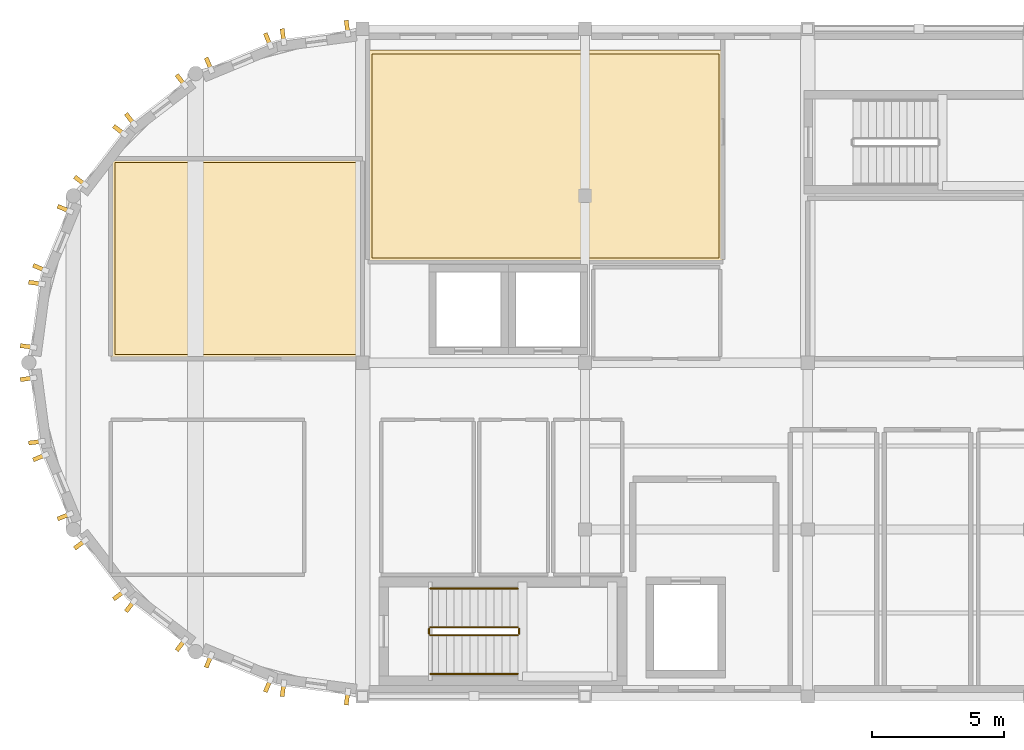
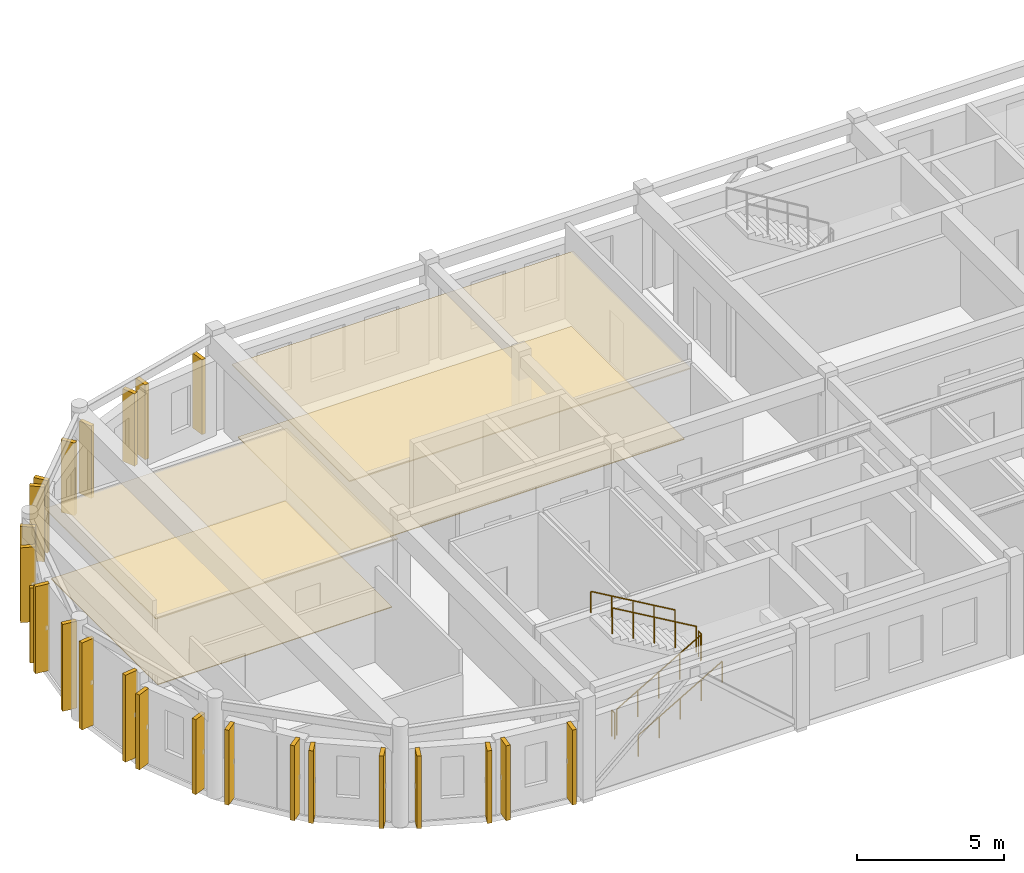
# One storey, part 8 of 11: 28 coverings, 6 railings.
"""IFC4 building model written with IfcOpenShell, lengths in metres."""

from ifc_helpers import new_model, si_unit, direction, frame, origin, origin_2d, place, context, subcontext, project, spatial, polyline, rectangle, circle, outline, extrude, material, layer, layer_set, type_object, element, save


model = new_model("IFC4")

# Units and contexts
model_context = context("Model", 3, precision=1e-05, world=origin(), true_north=direction((0.0, 1.0)))
body_context = subcontext(model_context, "Body", "Model", "MODEL_VIEW")
ifc_project = project(units=[si_unit("LENGTHUNIT", "METRE"), si_unit("AREAUNIT", "SQUARE_METRE"), si_unit("VOLUMEUNIT", "CUBIC_METRE"), si_unit("PLANEANGLEUNIT", "RADIAN"), si_unit("MASSUNIT", "GRAM", prefix="KILO")], contexts=[model_context])

# Site, building, storey
site_placement = place(None, origin())
site = spatial("IfcSite", under=ifc_project, at=site_placement, CompositionType="ELEMENT")
building_placement = place(site_placement, origin())
building = spatial("IfcBuilding", under=site, at=building_placement, Name="Tarnavel Promenade Courthouse", CompositionType="ELEMENT")
storey_placement = place(building_placement, frame((0.0, 0.0, 31.199951171875)))
storey = spatial("IfcBuildingStorey", under=building, at=storey_placement, Name="L08", CompositionType="ELEMENT", Elevation=31.199951171875)

# Railings
ifc_material_1 = material(Name="Brushed Bronze Tubular Stair Handrail")
railing_type_1 = type_object("IfcRailingType", Name="Brushed Bronze Tubular Stair Handrail (RL-HND-0900)", PredefinedType="HANDRAIL", material=ifc_material_1)
railing_1_placement = place(storey_placement, frame((61.360107421875, 80.050048828125, 0.175048828125)))
element("IfcRailing", 1, at=railing_1_placement, inside=storey, type_object=railing_type_1, Name="L08 ST-01 stair handrail 1", PredefinedType="HANDRAIL", context=body_context, shape_type="SweptSolid", body=[
    extrude(circle(Radius=0.02392578125, at=origin_2d()), frame((0.0, 0.0, 0.8759765625), z_axis=(0.863760357493, 0.0, 0.503902812876), x_axis=(0.0, 1.0, 0.0)), (0.0, 0.0, 1.0), 3.8203125),
    extrude(circle(Radius=0.02099609375, at=origin_2d()), origin(), (0.0, 0.0, 1.0), 0.851806640625),
    extrude(circle(Radius=0.02099609375, at=origin_2d()), frame((0.824951171875, 0.0, 0.481201171875)), (0.0, 0.0, 1.0), 0.851806640625),
    extrude(circle(Radius=0.02099609375, at=origin_2d()), frame((1.64990234375, 0.0, 0.96240234375)), (0.0, 0.0, 1.0), 0.851806640625),
    extrude(circle(Radius=0.02099609375, at=origin_2d()), frame((2.474853515625, 0.0, 1.44384765625)), (0.0, 0.0, 1.0), 0.851806640625),
    extrude(circle(Radius=0.02099609375, at=origin_2d()), frame((3.2998046875, 0.0, 1.925048828125)), (0.0, 0.0, 1.0), 0.851806640625),
])
railing_2_placement = place(storey_placement, frame((64.659912109375, 83.27001953125, 2.275146484375)))
element("IfcRailing", 2, at=railing_2_placement, inside=storey, type_object=railing_type_1, Name="L08 ST-01 stair handrail 2", PredefinedType="HANDRAIL", context=body_context, shape_type="SweptSolid", body=[
    extrude(circle(Radius=0.02392578125, at=origin_2d()), frame((0.0, 0.0, 0.8759765625), z_axis=(-0.863788172461, 0.0, 0.503855131081), x_axis=(0.0, -1.0, 0.0)), (0.0, 0.0, 1.0), 3.820068359375),
    extrude(circle(Radius=0.02099609375, at=origin_2d()), origin(), (0.0, 0.0, 1.0), 0.851806640625),
    extrude(circle(Radius=0.02099609375, at=origin_2d()), frame((-0.824951171875, 0.0, 0.481201171875)), (0.0, 0.0, 1.0), 0.851806640625),
    extrude(circle(Radius=0.02099609375, at=origin_2d()), frame((-1.64990234375, 0.0, 0.96240234375)), (0.0, 0.0, 1.0), 0.851806640625),
    extrude(circle(Radius=0.02099609375, at=origin_2d()), frame((-2.474853515625, 0.0, 1.443603515625)), (0.0, 0.0, 1.0), 0.851806640625),
    extrude(circle(Radius=0.02099609375, at=origin_2d()), frame((-3.2998046875, 0.0, 1.9248046875)), (0.0, 0.0, 1.0), 0.851806640625),
])

# Coverings
ifc_material_2 = material(Name="Engineered Smoked Oak Courtroom & Chambers Parquet")
ifc_layer_1 = layer(ifc_material_2, 0.031982421875)
ifc_layer_set_1 = layer_set([ifc_layer_1], Name="Engineered Smoked Oak Courtroom & Chambers Parquet")
covering_type_1 = type_object("IfcCoveringType", Name="Engineered Smoked Oak Courtroom & Chambers Parquet (COV-FLR-OAK-32)", PredefinedType="FLOORING", material=ifc_layer_set_1)
covering_1_placement = place(storey_placement, origin())
element("IfcCovering", 3, at=covering_1_placement, inside=storey, type_object=covering_type_1, Name="L08 Chief Justice's Chambers Suite Architectural Flooring 0054", PredefinedType="FLOORING", context=body_context, shape_type="SweptSolid", body=[
    extrude(outline(polyline([(59.14990234375, 95.75), (72.25, 95.75), (72.25, 103.449951171875), (59.14990234375, 103.449951171875), (59.14990234375, 95.75)])), origin(), (0.0, 0.0, 1.0), 0.031982421875),
])
covering_2_placement = place(storey_placement, origin())
element("IfcCovering", 4, at=covering_2_placement, inside=storey, type_object=covering_type_1, Name="L08 L08 West Drum Rotunda Chambers North Architectural Flooring 0056", PredefinedType="FLOORING", context=body_context, shape_type="SweptSolid", body=[
    extrude(outline(polyline([(49.449951171875, 92.10009765625), (58.64990234375, 92.10009765625), (58.64990234375, 99.35009765625), (49.449951171875, 99.35009765625), (49.449951171875, 92.10009765625)])), origin(), (0.0, 0.0, 1.0), 0.031982421875),
])
ifc_material_3 = material(Name="Micro-Perforated Acoustic Mineral-Fibre Ceiling")
ifc_layer_2 = layer(ifc_material_3, 0.044921875)
ifc_layer_set_2 = layer_set([ifc_layer_2], Name="Micro-Perforated Acoustic Mineral-Fibre Ceiling")
covering_type_2 = type_object("IfcCoveringType", Name="Micro-Perforated Acoustic Mineral-Fibre Ceiling (COV-CLG-MIN-45)", PredefinedType="CEILING", material=ifc_layer_set_2)
covering_3_placement = place(storey_placement, frame((0.0, 0.0, 2.965087890625)))
element("IfcCovering", 5, at=covering_3_placement, inside=storey, type_object=covering_type_2, Name="L08 Chief Justice's Chambers Suite Acoustic Ceiling 0054", PredefinedType="CEILING", context=body_context, shape_type="SweptSolid", body=[
    extrude(outline(polyline([(59.0, 95.60009765625), (72.39990234375, 95.60009765625), (72.39990234375, 103.60009765625), (59.0, 103.60009765625), (59.0, 95.60009765625)])), origin(), (0.0, 0.0, 1.0), 0.044921875),
])
covering_4_placement = place(storey_placement, frame((0.0, 0.0, 2.864990234375)))
element("IfcCovering", 6, at=covering_4_placement, inside=storey, type_object=covering_type_2, Name="L08 L08 West Drum Rotunda Chambers North Acoustic Ceiling 0056", PredefinedType="CEILING", context=body_context, shape_type="SweptSolid", body=[
    extrude(outline(polyline([(49.300048828125, 91.949951171875), (58.800048828125, 91.949951171875), (58.800048828125, 99.5), (49.300048828125, 99.5), (49.300048828125, 91.949951171875)])), origin(), (0.0, 0.0, 1.0), 0.045166015625),
])

# Railings
ifc_material_4 = material(Name="Painted Architectural Steel Core Stair Guardrail", Category="steel")
railing_type_2 = type_object("IfcRailingType", Name="Painted Architectural Steel Core Stair Guardrail (RL-GRD-1100)", PredefinedType="GUARDRAIL", material=ifc_material_4)
railing_3_placement = place(storey_placement, frame((61.360107421875, 81.510009765625, 0.175048828125)))
element("IfcRailing", 7, at=railing_3_placement, inside=storey, type_object=railing_type_2, Name="L08 ST-01 stair guard 1", PredefinedType="GUARDRAIL", context=body_context, shape_type="SweptSolid", body=[
    extrude(circle(Radius=0.02392578125, at=origin_2d()), frame((0.0, 0.0, 1.076171875), z_axis=(0.863760357493, 0.0, 0.503902812876), x_axis=(0.0, 1.0, 0.0)), (0.0, 0.0, 1.0), 3.8203125),
    extrude(circle(Radius=0.02099609375, at=origin_2d()), origin(), (0.0, 0.0, 1.0), 1.052001953125),
    extrude(circle(Radius=0.02099609375, at=origin_2d()), frame((0.824951171875, 0.0, 0.481201171875)), (0.0, 0.0, 1.0), 1.052001953125),
    extrude(circle(Radius=0.02099609375, at=origin_2d()), frame((1.64990234375, 0.0, 0.96240234375)), (0.0, 0.0, 1.0), 1.052001953125),
    extrude(circle(Radius=0.02099609375, at=origin_2d()), frame((2.474853515625, 0.0, 1.44384765625)), (0.0, 0.0, 1.0), 1.052001953125),
    extrude(circle(Radius=0.02099609375, at=origin_2d()), frame((3.2998046875, 0.0, 1.925048828125)), (0.0, 0.0, 1.0), 1.052001953125),
])
railing_4_placement = place(storey_placement, frame((64.7099609375, 81.56005859375, 2.10009765625)))
element("IfcRailing", 8, at=railing_4_placement, inside=storey, type_object=railing_type_2, Name="L08 ST-01 stair guard 2", PredefinedType="GUARDRAIL", context=body_context, shape_type="SweptSolid", body=[
    extrude(circle(Radius=0.02392578125, at=origin_2d()), frame((0.0, 0.0, 1.076171875), z_axis=(0.0, 1.0, 0.0), x_axis=(-1.0, 0.0, 0.0)), (0.0, 0.0, 1.0), 0.199951171875),
    extrude(circle(Radius=0.02099609375, at=origin_2d()), origin(), (0.0, 0.0, 1.0), 1.052001953125),
    extrude(circle(Radius=0.02099609375, at=origin_2d()), frame((0.0, 0.199951171875, 0.0)), (0.0, 0.0, 1.0), 1.052001953125),
])
railing_5_placement = place(storey_placement, frame((64.659912109375, 81.81005859375, 2.275146484375)))
element("IfcRailing", 9, at=railing_5_placement, inside=storey, type_object=railing_type_2, Name="L08 ST-01 stair guard 3", PredefinedType="GUARDRAIL", context=body_context, shape_type="SweptSolid", body=[
    extrude(circle(Radius=0.02392578125, at=origin_2d()), frame((0.0, 0.0, 1.076171875), z_axis=(-0.863788172461, 0.0, 0.503855131081), x_axis=(0.0, -1.0, 0.0)), (0.0, 0.0, 1.0), 3.820068359375),
    extrude(circle(Radius=0.02099609375, at=origin_2d()), origin(), (0.0, 0.0, 1.0), 1.052001953125),
    extrude(circle(Radius=0.02099609375, at=origin_2d()), frame((-0.824951171875, 0.0, 0.481201171875)), (0.0, 0.0, 1.0), 1.052001953125),
    extrude(circle(Radius=0.02099609375, at=origin_2d()), frame((-1.64990234375, 0.0, 0.96240234375)), (0.0, 0.0, 1.0), 1.052001953125),
    extrude(circle(Radius=0.02099609375, at=origin_2d()), frame((-2.474853515625, 0.0, 1.443603515625)), (0.0, 0.0, 1.0), 1.052001953125),
    extrude(circle(Radius=0.02099609375, at=origin_2d()), frame((-3.2998046875, 0.0, 1.9248046875)), (0.0, 0.0, 1.0), 1.052001953125),
])
railing_6_placement = place(storey_placement, frame((61.31005859375, 81.56005859375, 0.0)))
element("IfcRailing", 10, at=railing_6_placement, inside=storey, type_object=railing_type_2, Name="L08 ST-01 stair guard 4", PredefinedType="GUARDRAIL", context=body_context, shape_type="SweptSolid", body=[
    extrude(circle(Radius=0.02392578125, at=origin_2d()), frame((0.0, 0.0, 1.076171875), z_axis=(0.0, 1.0, 0.0), x_axis=(-1.0, 0.0, 0.0)), (0.0, 0.0, 1.0), 0.199951171875),
    extrude(circle(Radius=0.02099609375, at=origin_2d()), origin(), (0.0, 0.0, 1.0), 1.052001953125),
    extrude(circle(Radius=0.02099609375, at=origin_2d()), frame((0.0, 0.199951171875, 0.0)), (0.0, 0.0, 1.0), 1.052001953125),
])

# Coverings
ifc_material_5 = material(Name="Patinated Copper-Bronze Fluted Pier Cladding")
ifc_layer_3 = layer(ifc_material_5, 0.52001953125)
ifc_layer_set_3 = layer_set([ifc_layer_3], Name="Patinated Copper-Bronze Fluted Pier Cladding")
covering_type_3 = type_object("IfcCoveringType", Name="Patinated Copper-Bronze Fluted Pier Cladding COV-PIER-520 (520 mm)", PredefinedType="CLADDING", material=ifc_layer_set_3)
for number, where, z_axis, x_axis, name in (
    (11, (58.216552734375, 104.46435546875, 0.0), (0.0, 0.0, 1.0), (-0.991444861374, -0.13052619222, 0.0), "L08 W Drum Fluted Copper Pier 0271"),
    (12, (55.798095703125, 104.14599609375, 0.0), (0.0, 0.0, 1.0), (-0.991444861374, -0.13052619222, 0.0), "L08 W Drum Fluted Copper Pier 0272"),
):
    element("IfcCovering", number, at=place(storey_placement, frame(where, z_axis=z_axis, x_axis=x_axis)), inside=storey, type_object=covering_type_3, Name=name, PredefinedType="CLADDING", context=body_context, shape_type="SweptSolid", body=[
        extrude(rectangle(XDim=0.159912109375, YDim=0.52001953125, at=origin_2d()), origin(), (0.0, 0.0, 1.0), 3.110107421875),
    ])
for number, where, z_axis, x_axis, name in (
    (13, (55.2265625, 103.992919921875, 0.0), (0.0, 0.0, 1.0), (-0.923879532511, -0.382683432365, 0.0), "L08 W Drum Fluted Copper Pier 0273"),
    (14, (52.99609375, 103.069091796875, 0.0), (0.0, 0.0, 1.0), (-0.923879532511, -0.382683432365, 0.0), "L08 W Drum Fluted Copper Pier 0274"),
    (15, (51.942626953125, 102.460693359375, 0.0), (0.0, 0.0, 1.0), (-0.793353340291, -0.608761429009, 0.0), "L08 W Drum Fluted Copper Pier 0275"),
    (16, (50.02734375, 100.9912109375, 0.0), (0.0, 0.0, 1.0), (-0.793353340291, -0.608761429009, 0.0), "L08 W Drum Fluted Copper Pier 0276"),
):
    element("IfcCovering", number, at=place(storey_placement, frame(where, z_axis=z_axis, x_axis=x_axis)), inside=storey, type_object=covering_type_3, Name=name, PredefinedType="CLADDING", context=body_context, shape_type="SweptSolid", body=[
        extrude(rectangle(XDim=0.159912109375, YDim=0.52001953125, at=origin_2d()), origin(), (0.0, 0.0, 1.0), 3.010009765625),
    ])
for number, where, z_axis, x_axis, name in (
    (17, (49.60888671875, 100.572509765625, 0.0), (0.0, 0.0, 1.0), (-0.608761429009, -0.793353340291, 0.0), "L08 W Drum Fluted Copper Pier 0277"),
    (18, (48.13916015625, 98.6572265625, 0.0), (0.0, 0.0, 1.0), (-0.608761429009, -0.793353340291, 0.0), "L08 W Drum Fluted Copper Pier 0278"),
    (19, (47.531005859375, 97.60400390625, 0.0), (0.0, 0.0, 1.0), (-0.382683432365, -0.923879532511, 0.0), "L08 W Drum Fluted Copper Pier 0279"),
    (20, (46.607177734375, 95.373291015625, 0.0), (0.0, 0.0, 1.0), (-0.382683432365, -0.923879532511, 0.0), "L08 W Drum Fluted Copper Pier 0280"),
):
    element("IfcCovering", number, at=place(storey_placement, frame(where, z_axis=z_axis, x_axis=x_axis)), inside=storey, type_object=covering_type_3, Name=name, PredefinedType="CLADDING", context=body_context, shape_type="SweptSolid", body=[
        extrude(rectangle(XDim=0.159912109375, YDim=0.52001953125, at=origin_2d()), origin(), (0.0, 0.0, 1.0), 3.110107421875),
    ])
for number, where, z_axis, x_axis, name in (
    (21, (46.4541015625, 94.8017578125, 0.0), (0.0, 0.0, 1.0), (-0.13052619222, -0.991444861374, 0.0), "L08 W Drum Fluted Copper Pier 0281"),
    (22, (46.138916015625, 92.408203125, 0.0), (0.0, 0.0, 1.0), (-0.13052619222, -0.991444861374, 0.0), "L08 W Drum Fluted Copper Pier 0282"),
    (23, (46.138916015625, 91.19189453125, 0.0), (0.0, 0.0, 1.0), (0.13052619222, -0.991444861374, 0.0), "L08 W Drum Fluted Copper Pier 0283"),
    (24, (46.4541015625, 88.798095703125, 0.0), (0.0, 0.0, 1.0), (0.13052619222, -0.991444861374, 0.0), "L08 W Drum Fluted Copper Pier 0284"),
):
    element("IfcCovering", number, at=place(storey_placement, frame(where, z_axis=z_axis, x_axis=x_axis)), inside=storey, type_object=covering_type_3, Name=name, PredefinedType="CLADDING", context=body_context, shape_type="SweptSolid", body=[
        extrude(rectangle(XDim=0.159912109375, YDim=0.52001953125, at=origin_2d()), origin(), (0.0, 0.0, 1.0), 3.610107421875),
    ])
for number, where, z_axis, x_axis, name in (
    (25, (46.607177734375, 88.2265625, 0.0), (0.0, 0.0, 1.0), (0.382683432365, -0.923879532511, 0.0), "L08 W Drum Fluted Copper Pier 0285"),
    (26, (47.531005859375, 85.99609375, 0.0), (0.0, 0.0, 1.0), (0.382683432365, -0.923879532511, 0.0), "L08 W Drum Fluted Copper Pier 0286"),
    (27, (48.13916015625, 84.942626953125, 0.0), (0.0, 0.0, 1.0), (0.608761429009, -0.793353340291, 0.0), "L08 W Drum Fluted Copper Pier 0287"),
    (28, (49.60888671875, 83.02734375, 0.0), (0.0, 0.0, 1.0), (0.608761429009, -0.793353340291, 0.0), "L08 W Drum Fluted Copper Pier 0288"),
):
    element("IfcCovering", number, at=place(storey_placement, frame(where, z_axis=z_axis, x_axis=x_axis)), inside=storey, type_object=covering_type_3, Name=name, PredefinedType="CLADDING", context=body_context, shape_type="SweptSolid", body=[
        extrude(rectangle(XDim=0.159912109375, YDim=0.52001953125, at=origin_2d()), origin(), (0.0, 0.0, 1.0), 3.110107421875),
    ])
for number, where, z_axis, x_axis, name in (
    (29, (50.02734375, 82.60888671875, 0.0), (0.0, 0.0, 1.0), (0.793353340291, -0.608761429009, 0.0), "L08 W Drum Fluted Copper Pier 0289"),
    (30, (51.942626953125, 81.13916015625, 0.0), (0.0, 0.0, 1.0), (0.793353340291, -0.608761429009, 0.0), "L08 W Drum Fluted Copper Pier 0290"),
    (31, (52.99609375, 80.531005859375, 0.0), (0.0, 0.0, 1.0), (0.923879532511, -0.382683432365, 0.0), "L08 W Drum Fluted Copper Pier 0291"),
    (32, (55.2265625, 79.607177734375, 0.0), (0.0, 0.0, 1.0), (0.923879532511, -0.382683432365, 0.0), "L08 W Drum Fluted Copper Pier 0292"),
):
    element("IfcCovering", number, at=place(storey_placement, frame(where, z_axis=z_axis, x_axis=x_axis)), inside=storey, type_object=covering_type_3, Name=name, PredefinedType="CLADDING", context=body_context, shape_type="SweptSolid", body=[
        extrude(rectangle(XDim=0.159912109375, YDim=0.52001953125, at=origin_2d()), origin(), (0.0, 0.0, 1.0), 3.010009765625),
    ])
for number, where, z_axis, x_axis, name in (
    (33, (55.798095703125, 79.4541015625, 0.0), (0.0, 0.0, 1.0), (0.991444861374, -0.13052619222, 0.0), "L08 W Drum Fluted Copper Pier 0293"),
    (34, (58.216552734375, 79.135498046875, 0.0), (0.0, 0.0, 1.0), (0.991444861374, -0.13052619222, 0.0), "L08 W Drum Fluted Copper Pier 0294"),
):
    element("IfcCovering", number, at=place(storey_placement, frame(where, z_axis=z_axis, x_axis=x_axis)), inside=storey, type_object=covering_type_3, Name=name, PredefinedType="CLADDING", context=body_context, shape_type="SweptSolid", body=[
        extrude(rectangle(XDim=0.159912109375, YDim=0.52001953125, at=origin_2d()), origin(), (0.0, 0.0, 1.0), 3.110107421875),
    ])

save(model, "model.ifc")
